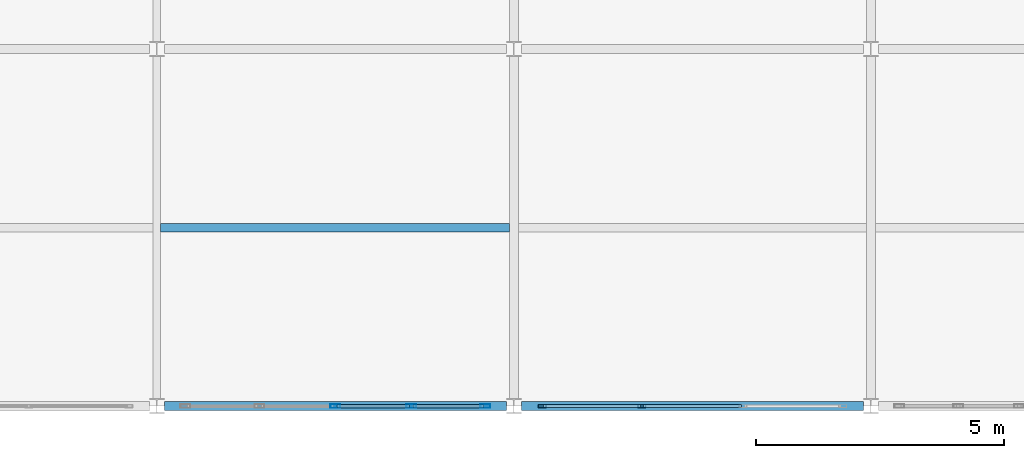
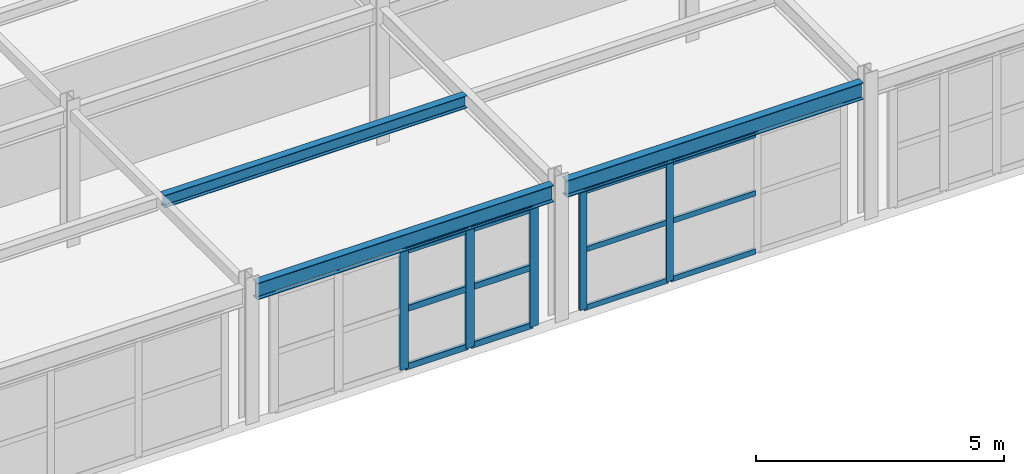
# One storey, part 24 of 73: 17 members, 3 beams, 2 elements without a shape of their own.
"""IFC4 building model written with IfcOpenShell, lengths in metres."""

import ifcopenshell
import ifcopenshell.guid

model = None  # the IFC model being written
_history = None  # IfcOwnerHistory: only IFC2X3 demands one
_inside = {}  # id of a spatial element -> (the spatial element, [elements in it])
_under = {}  # id of a project, library or spatial element -> (it, [spatial elements below it])
_declared = {}  # id of a project -> (the project, [libraries it declares])
_typed = {}  # id of a type object -> (the type object, [elements of that type])
_made_of = {}  # id of a material, layer set ... -> (it, [elements and type objects made of it])


def new_model(schema):
    """Start an empty IFC model of exactly this schema.

    Asked for "IFC4X3", IfcOpenShell would pick the latest addendum, in which some entities
    have other attributes; the version numbers below select the first issue.
    IFC2X3 requires an IfcOwnerHistory on every rooted entity: one is made here for all.
    """
    global model, _history
    if schema == "IFC4X3":
        model = ifcopenshell.file(schema_version=(4, 3, 0, 0))
    else:
        model = ifcopenshell.file(schema=schema)
    _inside.clear()
    _under.clear()
    _declared.clear()
    _typed.clear()
    _made_of.clear()
    _history = None
    if model.schema == "IFC2X3":
        org = make("IfcOrganization", Name="unknown")
        user = make(
            "IfcPersonAndOrganization",
            ThePerson=make("IfcPerson", FamilyName="unknown"),
            TheOrganization=org,
        )
        app = make(
            "IfcApplication",
            ApplicationDeveloper=org,
            Version="unknown",
            ApplicationFullName="unknown",
            ApplicationIdentifier="unknown",
        )
        _history = make(
            "IfcOwnerHistory",
            OwningUser=user,
            OwningApplication=app,
            ChangeAction="ADDED",
            CreationDate=0,
        )
    return model


def make(cls, **values):
    """One entity of the class cls with the attributes given. An attribute that is None is left unset."""
    return model.create_entity(
        cls, **{name: value for name, value in values.items() if value is not None}
    )


def rooted(cls, **values):
    """An entity with a GlobalId (a new one), such as an element, a storey or a relation."""
    return make(cls, GlobalId=ifcopenshell.guid.new(), OwnerHistory=_history, **values)


def si_unit(unit_type, name, prefix=None):
    """IfcSIUnit, for example si_unit("LENGTHUNIT", "METRE", prefix="MILLI")."""
    return make("IfcSIUnit", UnitType=unit_type, Prefix=prefix, Name=name)


def assignment(units):
    """IfcUnitAssignment: the units of a project."""
    return None if units is None else make("IfcUnitAssignment", Units=units)


def point(xyz):
    """IfcCartesianPoint."""
    return None if xyz is None else make("IfcCartesianPoint", Coordinates=xyz)


def direction(xyz):
    """IfcDirection."""
    return None if xyz is None else make("IfcDirection", DirectionRatios=xyz)


def frame(location, z_axis=None, x_axis=None):
    """IfcAxis2Placement3D, a coordinate frame: its origin and axes. An axis left out is left unset."""
    return make(
        "IfcAxis2Placement3D",
        Location=point(location),
        Axis=direction(z_axis),
        RefDirection=direction(x_axis),
    )


def frame_2d(location, x_axis=None):
    """IfcAxis2Placement2D, a coordinate frame in the plane: its origin and x axis."""
    return make(
        "IfcAxis2Placement2D", Location=point(location), RefDirection=direction(x_axis)
    )


def origin():
    """The frame at (0, 0, 0) with its axes left unset."""
    return frame((0.0, 0.0, 0.0))


def origin_2d():
    """The frame at (0, 0) in the plane with its x axis left unset."""
    return frame_2d((0.0, 0.0))


def place(relative_to, where):
    """IfcLocalPlacement: puts the frame where relative to a parent placement (None: the world)."""
    return make(
        "IfcLocalPlacement", PlacementRelTo=relative_to, RelativePlacement=where
    )


def context(
    kind, dimensions, precision=None, world=None, true_north=None, identifier=None
):
    """IfcGeometricRepresentationContext, for example the 3D "Model" context."""
    return make(
        "IfcGeometricRepresentationContext",
        ContextIdentifier=identifier,
        ContextType=kind,
        CoordinateSpaceDimension=dimensions,
        Precision=precision,
        WorldCoordinateSystem=world,
        TrueNorth=true_north,
    )


def subcontext(parent, identifier, kind, view, scale=None):
    """IfcGeometricRepresentationSubContext, for example "Body" below "Model"."""
    return make(
        "IfcGeometricRepresentationSubContext",
        ContextIdentifier=identifier,
        ContextType=kind,
        ParentContext=parent,
        TargetScale=scale,
        TargetView=view,
    )


def project(units=None, contexts=None):
    """IfcProject with its units and contexts."""
    return rooted(
        "IfcProject",
        Name="project",
        RepresentationContexts=contexts,
        UnitsInContext=assignment(units),
    )


def spatial(cls, under=None, at=None, **own):
    """A site, building, storey or space (cls), placed at a placement, below another one or the project."""
    s = rooted(cls, ObjectPlacement=at, **own)
    if under is not None:
        _under.setdefault(under.id(), (under, []))[1].append(s)
    return s


def profile(cls, at=None, kind="AREA", **sizes):
    """A parametric profile (cls). Its sizes go by their IFC names, for example OverallWidth=200.0."""
    return make(cls, ProfileType=kind, Position=at, **sizes)


def hollow_rectangle(**sizes):
    """IfcRectangleHollowProfileDef."""
    return profile("IfcRectangleHollowProfileDef", **sizes)


def i_section(**sizes):
    """IfcIShapeProfileDef."""
    return profile("IfcIShapeProfileDef", **sizes)


def extrude(swept, where, along, depth):
    """IfcExtrudedAreaSolid: the profile swept, set in the frame where, extruded along a direction by depth."""
    return make(
        "IfcExtrudedAreaSolid",
        SweptArea=swept,
        Position=where,
        ExtrudedDirection=direction(along),
        Depth=depth,
    )


def shape(context_of_items, identifier, shape_type, items):
    """IfcShapeRepresentation: the items that make up one representation, for example the "Body"."""
    return make(
        "IfcShapeRepresentation",
        ContextOfItems=context_of_items,
        RepresentationIdentifier=identifier,
        RepresentationType=shape_type,
        Items=items,
    )


def material(Name=None, Category=None):
    """IfcMaterial."""
    return make("IfcMaterial", Name=Name, Category=Category)


def layer(
    of_material, thickness, ventilated=None, Name=None, Category=None, Priority=None
):
    """IfcMaterialLayer: one layer of a wall or slab, of a material (None: an air gap)."""
    return make(
        "IfcMaterialLayer",
        Material=of_material,
        LayerThickness=thickness,
        IsVentilated=ventilated,
        Name=Name,
        Category=Category,
        Priority=Priority,
    )


def layer_set(layers, Name=None):
    """IfcMaterialLayerSet."""
    return make("IfcMaterialLayerSet", MaterialLayers=layers, LayerSetName=Name)


def material_profile(
    of_material, cross_section, Name=None, Category=None, Priority=None
):
    """IfcMaterialProfile: a cross section and its material."""
    return make(
        "IfcMaterialProfile",
        Name=Name,
        Material=of_material,
        Profile=cross_section,
        Priority=Priority,
        Category=Category,
    )


def profile_set(profiles, Name=None, composite=None):
    """IfcMaterialProfileSet."""
    return make(
        "IfcMaterialProfileSet",
        Name=Name,
        MaterialProfiles=profiles,
        CompositeProfile=composite,
    )


def made_of(thing, what):
    """Note that an element or type object is made of a material, layer set ...; save() writes the relation."""
    if what is not None:
        _made_of.setdefault(what.id(), (what, []))[1].append(thing)
    return thing


def type_object(cls, material=None, **own):
    """A type object (cls), such as IfcWallType, which elements share."""
    return made_of(rooted(cls, **own), material)


def element(
    cls,
    number,
    at=None,
    inside=None,
    cuts=None,
    type_object=None,
    material=None,
    context=None,
    identifier="Body",
    shape_type=None,
    held_by="IfcProductDefinitionShape",
    body=None,
    shapes=None,
    **own,
):
    """One element of the class cls, such as IfcWall. Its Tag is "e" and its number.

    at: its placement. inside: the storey or other place that contains it. cuts: it is an
    opening in that element (IfcRelVoidsElement). A single representation is given by context,
    identifier, shape_type and body (its items); several are given by shapes. held_by: the class
    of the entity that holds the representations. save() writes the other relations.
    """
    e = rooted(cls, Tag="e%d" % number, ObjectPlacement=at, **own)
    if body is not None:
        shapes = [shape(context, identifier, shape_type, body)]
    if shapes is not None:
        e.Representation = make(held_by, Representations=shapes)
    if inside is not None:
        _inside.setdefault(inside.id(), (inside, []))[1].append(e)
    if cuts is not None:
        rooted(
            "IfcRelVoidsElement", RelatingBuildingElement=cuts, RelatedOpeningElement=e
        )
    if type_object is not None:
        _typed.setdefault(type_object.id(), (type_object, []))[1].append(e)
    return made_of(e, material)


def aggregate(whole, parts):
    """IfcRelAggregates: a whole, such as a stair, and the parts it consists of."""
    return rooted("IfcRelAggregates", RelatingObject=whole, RelatedObjects=parts)


def save(model, path):
    """Write the relations noted so far, then the file.

    IfcRelAggregates (storeys below a building ...), IfcRelContainedInSpatialStructure (elements
    in a storey), IfcRelDefinesByType, IfcRelAssociatesMaterial and IfcRelDeclares: one each for
    every whole, place, type object, material and project.
    """
    for whole, parts in _under.values():
        aggregate(whole, parts)
    for where, things in _inside.values():
        rooted(
            "IfcRelContainedInSpatialStructure",
            RelatedElements=things,
            RelatingStructure=where,
        )
    for kind, things in _typed.values():
        rooted("IfcRelDefinesByType", RelatedObjects=things, RelatingType=kind)
    for what, things in _made_of.values():
        rooted("IfcRelAssociatesMaterial", RelatedObjects=things, RelatingMaterial=what)
    for by, libraries in _declared.values():
        rooted("IfcRelDeclares", RelatingContext=by, RelatedDefinitions=libraries)
    model.write(path)


model = new_model("IFC4")

# Units and contexts
model_context = context("Model", 3, precision=1e-05, world=origin(), true_north=direction((0.0, 1.0)))
body_context = subcontext(model_context, "Body", "Model", "MODEL_VIEW")
ifc_project = project(units=[si_unit("LENGTHUNIT", "METRE"), si_unit("AREAUNIT", "SQUARE_METRE"), si_unit("VOLUMEUNIT", "CUBIC_METRE"), si_unit("PLANEANGLEUNIT", "RADIAN"), si_unit("MASSUNIT", "GRAM", prefix="KILO")], contexts=[model_context])

# Site, building, storey
site_placement = place(None, origin())
site = spatial("IfcSite", under=ifc_project, at=site_placement, CompositionType="ELEMENT")
building_placement = place(site_placement, origin())
building = spatial("IfcBuilding", under=site, at=building_placement, Name="Carrowvane Square Congress Hotel", CompositionType="ELEMENT")
storey_placement = place(building_placement, frame((0.0, 0.0, 19.199951171875)))
storey = spatial("IfcBuildingStorey", under=building, at=storey_placement, Name="L04", CompositionType="ELEMENT", Elevation=19.199951171875)

# Beams
ifc_material_1 = material(Name="Steel S355", Category="steel")
ifc_material_profile_1 = material_profile(ifc_material_1, i_section(OverallWidth=0.165771484375, OverallDepth=0.306640625, WebThickness=0.006591796875, FlangeThickness=0.01171875, FilletRadius=0.0087890625, at=origin_2d()), Name="UKB 305x165x46")
ifc_profile_set_1 = profile_set([ifc_material_profile_1], Name="Steel S355")
beam_type_1 = type_object("IfcBeamType", Name="BM-ST-UKB305", PredefinedType="JOIST", material=ifc_profile_set_1)
beam_1_placement = place(storey_placement, frame((134.074951171875, 59.39990234375, 3.19677734375), z_axis=(1.0, 0.0, 0.0), x_axis=(0.0, 1.0, 0.0)))
element("IfcBeam", 1, at=beam_1_placement, inside=storey, type_object=beam_type_1, Name="L05 secondary joist 18-19", PredefinedType="JOIST", context=body_context, shape_type="SweptSolid", body=[
    extrude(i_section(OverallWidth=0.165771484375, OverallDepth=0.306640625, WebThickness=0.006591796875, FlangeThickness=0.01171875, FilletRadius=0.0087890625, at=origin_2d()), origin(), (0.0, 0.0, 1.0), 7.03564453125),
])
ifc_material_2 = material(Name="Steel S355", Category="steel")
ifc_material_profile_2 = material_profile(ifc_material_2, i_section(OverallWidth=0.1787109375, OverallDepth=0.409423828125, WebThickness=0.0087890625, FlangeThickness=0.014404296875, FilletRadius=0.01025390625, at=origin_2d()), Name="UKB 406x178x67")
ifc_profile_set_2 = profile_set([ifc_material_profile_2], Name="Steel S355")
beam_type_2 = type_object("IfcBeamType", Name="BM-ST-UKB406", PredefinedType="BEAM", material=ifc_profile_set_2)
beam_2_placement = place(storey_placement, frame((134.14990234375, 55.800048828125, 3.145263671875), z_axis=(1.0, 0.0, 0.0), x_axis=(0.0, 1.0, 0.0)))
element("IfcBeam", 2, at=beam_2_placement, inside=storey, type_object=beam_type_2, Name="L05 girder H/18-19", PredefinedType="BEAM", context=body_context, shape_type="SweptSolid", body=[
    extrude(i_section(OverallWidth=0.1787109375, OverallDepth=0.409423828125, WebThickness=0.0087890625, FlangeThickness=0.014404296875, FilletRadius=0.01025390625, at=origin_2d()), origin(), (0.0, 0.0, 1.0), 6.900146484375),
])
beam_3_placement = place(storey_placement, frame((141.35009765625, 55.800048828125, 3.145263671875), z_axis=(1.0, 0.0, 0.0), x_axis=(0.0, 1.0, 0.0)))
element("IfcBeam", 3, at=beam_3_placement, inside=storey, type_object=beam_type_2, Name="L05 girder H/19-20", PredefinedType="BEAM", context=body_context, shape_type="SweptSolid", body=[
    extrude(i_section(OverallWidth=0.1787109375, OverallDepth=0.409423828125, WebThickness=0.0087890625, FlangeThickness=0.014404296875, FilletRadius=0.01025390625, at=origin_2d()), origin(), (0.0, 0.0, 1.0), 6.89990234375),
])

# Curtain wall, members
ifc_material_3 = material(Name="Anodised aluminium", Category="aluminium")
ifc_layer_1 = layer(ifc_material_3, 0.162109375)
ifc_layer_set_1 = layer_set([ifc_layer_1], Name="Anodised aluminium")
curtain_wall_type_1 = type_object("IfcCurtainWallType", Name="CW-SYS-1", PredefinedType="NOTDEFINED", material=ifc_layer_set_1)
curtain_wall_1_placement = place(storey_placement, origin())
curtain_wall_1 = element("IfcCurtainWall", 4, at=curtain_wall_1_placement, inside=storey, type_object=curtain_wall_type_1, Name="L04 unitised curtain wall 304", PredefinedType="NOTDEFINED")
ifc_material_4 = material(Name="Anodised aluminium", Category="aluminium")
ifc_material_profile_3 = material_profile(ifc_material_4, hollow_rectangle(XDim=0.06005859375, YDim=0.159912109375, WallThickness=0.00390625, at=origin_2d()), Name="CW-ML 60x160x4")
ifc_profile_set_3 = profile_set([ifc_material_profile_3], Name="Anodised aluminium")
member_type_1 = type_object("IfcMemberType", Name="CW-MUL-1", PredefinedType="MULLION", material=ifc_profile_set_3)
member_1_placement = place(storey_placement, frame((143.780029296875, 55.800048828125, 0.0), z_axis=(0.0, 0.0, 1.0), x_axis=(0.0, -1.0, 0.0)))
member_1 = element("IfcMember", 5, at=member_1_placement, type_object=member_type_1, Name="CW-1 mullion 3", PredefinedType="MULLION", context=body_context, shape_type="SweptSolid", body=[
    extrude(hollow_rectangle(XDim=0.06005859375, YDim=0.159912109375, WallThickness=0.00390625, at=origin_2d()), origin(), (0.0, 0.0, 1.0), 2.925537109375),
])
member_2_placement = place(storey_placement, frame((141.77001953125, 55.800048828125, 0.0), z_axis=(0.0, 0.0, 1.0), x_axis=(0.0, -1.0, 0.0)))
member_2 = element("IfcMember", 6, at=member_2_placement, type_object=member_type_1, Name="CW-1 mullion 4", PredefinedType="MULLION", context=body_context, shape_type="SweptSolid", body=[
    extrude(hollow_rectangle(XDim=0.06005859375, YDim=0.159912109375, WallThickness=0.00390625, at=origin_2d()), origin(), (0.0, 0.0, 1.0), 2.925537109375),
])

ifc_material_5 = material(Name="Anodised aluminium", Category="aluminium")
ifc_layer_2 = layer(ifc_material_5, 0.174072265625)
ifc_layer_set_2 = layer_set([ifc_layer_2], Name="Anodised aluminium")
curtain_wall_type_2 = type_object("IfcCurtainWallType", Name="CW-SYS-2", PredefinedType="NOTDEFINED", material=ifc_layer_set_2)
curtain_wall_2_placement = place(storey_placement, origin())
curtain_wall_2 = element("IfcCurtainWall", 7, at=curtain_wall_2_placement, inside=storey, type_object=curtain_wall_type_2, Name="L04 unitised curtain wall 305", PredefinedType="NOTDEFINED")
ifc_material_6 = material(Name="Anodised aluminium", Category="aluminium")
ifc_material_profile_4 = material_profile(ifc_material_6, hollow_rectangle(XDim=0.070068359375, YDim=0.199951171875, WallThickness=0.0048828125, at=origin_2d()), Name="CW-ML 70x200x5")
ifc_profile_set_4 = profile_set([ifc_material_profile_4], Name="Anodised aluminium")
member_type_2 = type_object("IfcMemberType", Name="CW-MUL-2", PredefinedType="MULLION", material=ifc_profile_set_4)
member_3_placement = place(storey_placement, frame((140.625, 55.800048828125, 0.0), z_axis=(0.0, 0.0, 1.0), x_axis=(0.0, -1.0, 0.0)))
member_3 = element("IfcMember", 8, at=member_3_placement, type_object=member_type_2, Name="CW-2 mullion 1", PredefinedType="MULLION", context=body_context, shape_type="SweptSolid", body=[
    extrude(hollow_rectangle(XDim=0.070068359375, YDim=0.199951171875, WallThickness=0.0048828125, at=origin_2d()), origin(), (0.0, 0.0, 1.0), 2.925537109375),
])
member_4_placement = place(storey_placement, frame((139.1298828125, 55.800048828125, 0.0), z_axis=(0.0, 0.0, 1.0), x_axis=(0.0, -1.0, 0.0)))
member_4 = element("IfcMember", 9, at=member_4_placement, type_object=member_type_2, Name="CW-2 mullion 2", PredefinedType="MULLION", context=body_context, shape_type="SweptSolid", body=[
    extrude(hollow_rectangle(XDim=0.070068359375, YDim=0.199951171875, WallThickness=0.0048828125, at=origin_2d()), origin(), (0.0, 0.0, 1.0), 2.925537109375),
])
member_5_placement = place(storey_placement, frame((137.60009765625, 55.800048828125, 0.0), z_axis=(0.0, 0.0, 1.0), x_axis=(0.0, -1.0, 0.0)))
member_5 = element("IfcMember", 10, at=member_5_placement, type_object=member_type_2, Name="CW-2 mullion 3", PredefinedType="MULLION", context=body_context, shape_type="SweptSolid", body=[
    extrude(hollow_rectangle(XDim=0.070068359375, YDim=0.199951171875, WallThickness=0.0048828125, at=origin_2d()), origin(), (0.0, 0.0, 1.0), 2.925537109375),
])

# Member
ifc_material_7 = material(Name="Anodised aluminium", Category="aluminium")
ifc_material_profile_5 = material_profile(ifc_material_7, hollow_rectangle(XDim=0.06005859375, YDim=0.1298828125, WallThickness=0.00390625, at=origin_2d()), Name="CW-TR 60x130x4")
ifc_profile_set_5 = profile_set([ifc_material_profile_5], Name="Anodised aluminium")
member_type_3 = type_object("IfcMemberType", Name="CW-TRN-1", PredefinedType="USERDEFINED", material=ifc_profile_set_5)
member_6_placement = place(storey_placement, frame((145.7900390625, 55.800048828125, 0.030029296875), z_axis=(-1.0, 0.0, 0.0), x_axis=(0.0, -1.0, 0.0)))
member_6 = element("IfcMember", 11, at=member_6_placement, type_object=member_type_3, Name="CW-1 transom 2.1", ObjectType="TRANSOM", PredefinedType="USERDEFINED", context=body_context, shape_type="SweptSolid", body=[
    extrude(hollow_rectangle(XDim=0.06005859375, YDim=0.1298828125, WallThickness=0.00390625, at=origin_2d()), origin(), (0.0, 0.0, 1.0), 1.97998046875),
])

member_7_placement = place(storey_placement, frame((145.7900390625, 55.800048828125, 1.462890625), z_axis=(-1.0, 0.0, 0.0), x_axis=(0.0, -1.0, 0.0)))
member_7 = element("IfcMember", 12, at=member_7_placement, type_object=member_type_3, Name="CW-1 transom 2.2", ObjectType="TRANSOM", PredefinedType="USERDEFINED", context=body_context, shape_type="SweptSolid", body=[
    extrude(hollow_rectangle(XDim=0.06005859375, YDim=0.1298828125, WallThickness=0.00390625, at=origin_2d()), origin(), (0.0, 0.0, 1.0), 1.97998046875),
])

member_8_placement = place(storey_placement, frame((145.7900390625, 55.800048828125, 2.895751953125), z_axis=(-1.0, 0.0, 0.0), x_axis=(0.0, -1.0, 0.0)))
member_8 = element("IfcMember", 13, at=member_8_placement, type_object=member_type_3, Name="CW-1 transom 2.3", ObjectType="TRANSOM", PredefinedType="USERDEFINED", context=body_context, shape_type="SweptSolid", body=[
    extrude(hollow_rectangle(XDim=0.06005859375, YDim=0.1298828125, WallThickness=0.00390625, at=origin_2d()), origin(), (0.0, 0.0, 1.0), 1.97998046875),
])

member_9_placement = place(storey_placement, frame((143.75, 55.800048828125, 0.030029296875), z_axis=(-1.0, 0.0, 0.0), x_axis=(0.0, -1.0, 0.0)))
member_9 = element("IfcMember", 14, at=member_9_placement, type_object=member_type_3, Name="CW-1 transom 3.1", ObjectType="TRANSOM", PredefinedType="USERDEFINED", context=body_context, shape_type="SweptSolid", body=[
    extrude(hollow_rectangle(XDim=0.06005859375, YDim=0.1298828125, WallThickness=0.00390625, at=origin_2d()), origin(), (0.0, 0.0, 1.0), 1.949951171875),
])

member_10_placement = place(storey_placement, frame((143.75, 55.800048828125, 1.462890625), z_axis=(-1.0, 0.0, 0.0), x_axis=(0.0, -1.0, 0.0)))
member_10 = element("IfcMember", 15, at=member_10_placement, type_object=member_type_3, Name="CW-1 transom 3.2", ObjectType="TRANSOM", PredefinedType="USERDEFINED", context=body_context, shape_type="SweptSolid", body=[
    extrude(hollow_rectangle(XDim=0.06005859375, YDim=0.1298828125, WallThickness=0.00390625, at=origin_2d()), origin(), (0.0, 0.0, 1.0), 1.949951171875),
])

member_11_placement = place(storey_placement, frame((143.75, 55.800048828125, 2.895751953125), z_axis=(-1.0, 0.0, 0.0), x_axis=(0.0, -1.0, 0.0)))
member_11 = element("IfcMember", 16, at=member_11_placement, type_object=member_type_3, Name="CW-1 transom 3.3", ObjectType="TRANSOM", PredefinedType="USERDEFINED", context=body_context, shape_type="SweptSolid", body=[
    extrude(hollow_rectangle(XDim=0.06005859375, YDim=0.1298828125, WallThickness=0.00390625, at=origin_2d()), origin(), (0.0, 0.0, 1.0), 1.949951171875),
])

aggregate(curtain_wall_1, [member_1, member_2, member_6, member_7, member_8, member_9, member_10, member_11])

ifc_material_8 = material(Name="Anodised aluminium", Category="aluminium")
ifc_material_profile_6 = material_profile(ifc_material_8, hollow_rectangle(XDim=0.070068359375, YDim=0.14990234375, WallThickness=0.0048828125, at=origin_2d()), Name="CW-TR 70x150x5")
ifc_profile_set_6 = profile_set([ifc_material_profile_6], Name="Anodised aluminium")
member_type_4 = type_object("IfcMemberType", Name="CW-TRN-2", PredefinedType="USERDEFINED", material=ifc_profile_set_6)
member_12_placement = place(storey_placement, frame((140.590087890625, 55.800048828125, 0.03515625), z_axis=(-1.0, 0.0, 0.0), x_axis=(0.0, -1.0, 0.0)))
member_12 = element("IfcMember", 17, at=member_12_placement, type_object=member_type_4, Name="CW-2 transom 1.1", ObjectType="TRANSOM", PredefinedType="USERDEFINED", context=body_context, shape_type="SweptSolid", body=[
    extrude(hollow_rectangle(XDim=0.070068359375, YDim=0.14990234375, WallThickness=0.0048828125, at=origin_2d()), origin(), (0.0, 0.0, 1.0), 1.425048828125),
])

member_13_placement = place(storey_placement, frame((140.590087890625, 55.800048828125, 1.462890625), z_axis=(-1.0, 0.0, 0.0), x_axis=(0.0, -1.0, 0.0)))
member_13 = element("IfcMember", 18, at=member_13_placement, type_object=member_type_4, Name="CW-2 transom 1.2", ObjectType="TRANSOM", PredefinedType="USERDEFINED", context=body_context, shape_type="SweptSolid", body=[
    extrude(hollow_rectangle(XDim=0.070068359375, YDim=0.14990234375, WallThickness=0.0048828125, at=origin_2d()), origin(), (0.0, 0.0, 1.0), 1.425048828125),
])

member_14_placement = place(storey_placement, frame((140.590087890625, 55.800048828125, 2.890625), z_axis=(-1.0, 0.0, 0.0), x_axis=(0.0, -1.0, 0.0)))
member_14 = element("IfcMember", 19, at=member_14_placement, type_object=member_type_4, Name="CW-2 transom 1.3", ObjectType="TRANSOM", PredefinedType="USERDEFINED", context=body_context, shape_type="SweptSolid", body=[
    extrude(hollow_rectangle(XDim=0.070068359375, YDim=0.14990234375, WallThickness=0.0048828125, at=origin_2d()), origin(), (0.0, 0.0, 1.0), 1.425048828125),
])

member_15_placement = place(storey_placement, frame((139.094970703125, 55.800048828125, 0.03515625), z_axis=(-1.0, 0.0, 0.0), x_axis=(0.0, -1.0, 0.0)))
member_15 = element("IfcMember", 20, at=member_15_placement, type_object=member_type_4, Name="CW-2 transom 2.1", ObjectType="TRANSOM", PredefinedType="USERDEFINED", context=body_context, shape_type="SweptSolid", body=[
    extrude(hollow_rectangle(XDim=0.070068359375, YDim=0.14990234375, WallThickness=0.0048828125, at=origin_2d()), origin(), (0.0, 0.0, 1.0), 1.4599609375),
])

member_16_placement = place(storey_placement, frame((139.094970703125, 55.800048828125, 1.462890625), z_axis=(-1.0, 0.0, 0.0), x_axis=(0.0, -1.0, 0.0)))
member_16 = element("IfcMember", 21, at=member_16_placement, type_object=member_type_4, Name="CW-2 transom 2.2", ObjectType="TRANSOM", PredefinedType="USERDEFINED", context=body_context, shape_type="SweptSolid", body=[
    extrude(hollow_rectangle(XDim=0.070068359375, YDim=0.14990234375, WallThickness=0.0048828125, at=origin_2d()), origin(), (0.0, 0.0, 1.0), 1.4599609375),
])

member_17_placement = place(storey_placement, frame((139.094970703125, 55.800048828125, 2.890625), z_axis=(-1.0, 0.0, 0.0), x_axis=(0.0, -1.0, 0.0)))
member_17 = element("IfcMember", 22, at=member_17_placement, type_object=member_type_4, Name="CW-2 transom 2.3", ObjectType="TRANSOM", PredefinedType="USERDEFINED", context=body_context, shape_type="SweptSolid", body=[
    extrude(hollow_rectangle(XDim=0.070068359375, YDim=0.14990234375, WallThickness=0.0048828125, at=origin_2d()), origin(), (0.0, 0.0, 1.0), 1.4599609375),
])

aggregate(curtain_wall_2, [member_3, member_4, member_5, member_12, member_13, member_14, member_15, member_16, member_17])

save(model, "model.ifc")
